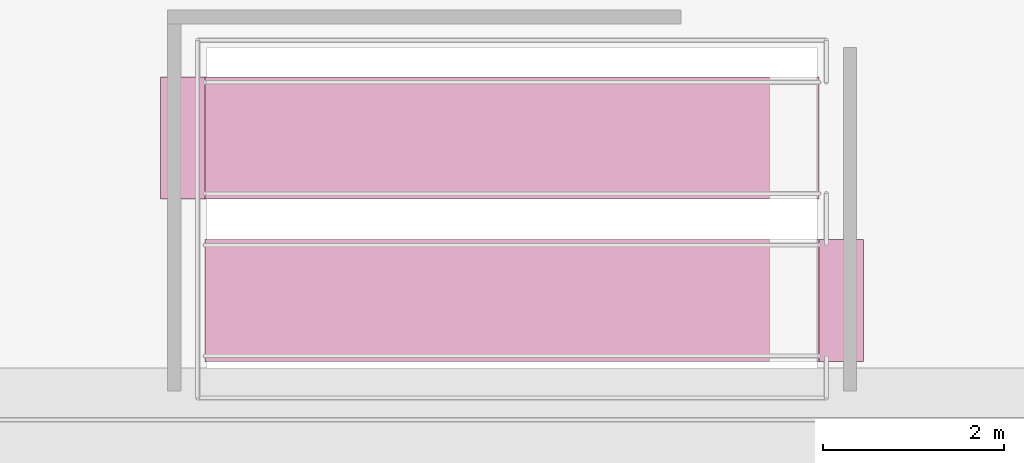
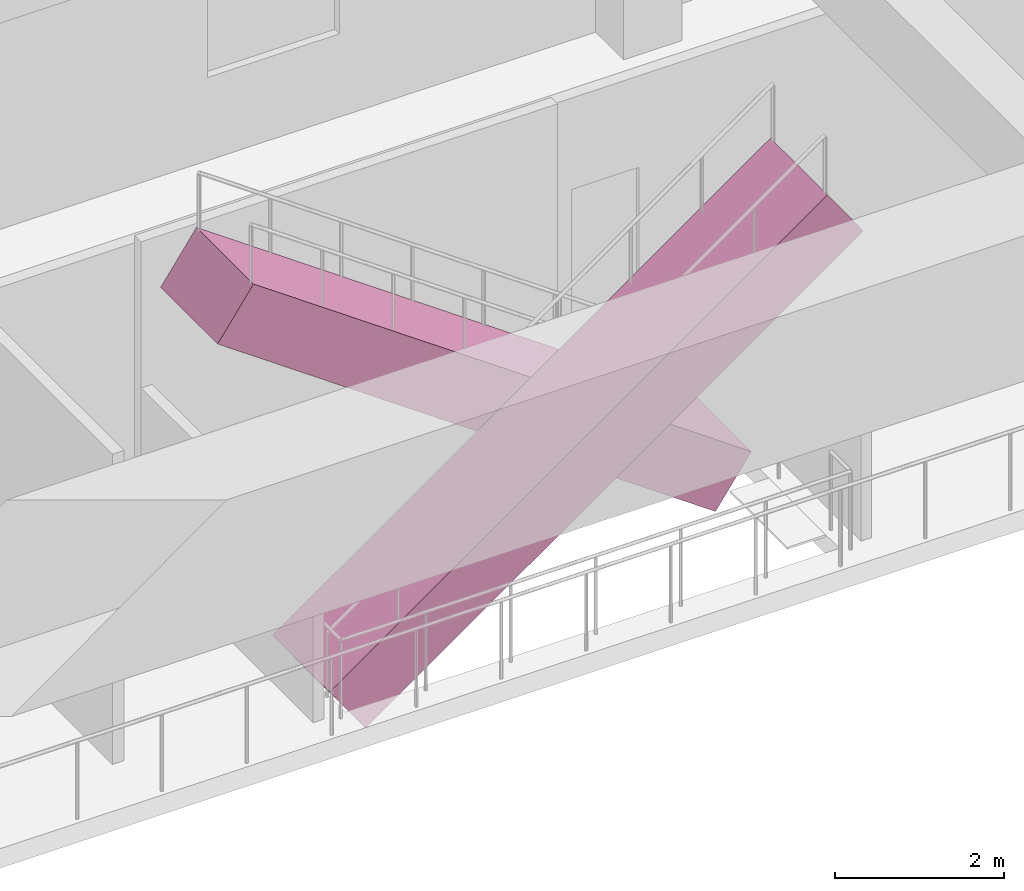
# One storey, part 33 of 33: 2 transport elements.
"""IFC4 building model written with IfcOpenShell, lengths in metres."""

from ifc_helpers import new_model, si_unit, direction, frame, origin, place, context, subcontext, project, spatial, polyline, outline, extrude, material, layer, layer_set, type_object, element, save


model = new_model("IFC4")

# Units and contexts
model_context = context("Model", 3, precision=1e-05, world=origin(), true_north=direction((0.0, 1.0)))
body_context = subcontext(model_context, "Body", "Model", "MODEL_VIEW")
ifc_project = project(units=[si_unit("LENGTHUNIT", "METRE"), si_unit("AREAUNIT", "SQUARE_METRE"), si_unit("VOLUMEUNIT", "CUBIC_METRE"), si_unit("PLANEANGLEUNIT", "RADIAN"), si_unit("MASSUNIT", "GRAM", prefix="KILO")], contexts=[model_context])

# Site, building, storey
site_placement = place(None, origin())
site = spatial("IfcSite", under=ifc_project, at=site_placement, CompositionType="ELEMENT")
building_placement = place(site_placement, origin())
building = spatial("IfcBuilding", under=site, at=building_placement, Name="Cendralis Terraced Arcade", CompositionType="ELEMENT")
storey_placement = place(building_placement, frame((0.0, 0.0, 19.800048828125)))
storey = spatial("IfcBuildingStorey", under=building, at=storey_placement, Name="L04", CompositionType="ELEMENT", Elevation=19.800048828125)

# Transport elements
ifc_material = material(Name="Brushed stainless steel and laminated glass escalator", Category="steel")
ifc_layer = layer(ifc_material, 0.949951171875, Name="ESC-ATR-1000")
ifc_layer_set = layer_set([ifc_layer], Name="Brushed stainless steel and laminated glass escalator")
transport_element_type = type_object("IfcTransportElementType", Name="ESC-ATR-1000", PredefinedType="ESCALATOR", material=ifc_layer_set)
transport_element_1_placement = place(storey_placement, frame((38.0, 39.125, 0.099853515625), z_axis=(-0.576684349177, 0.0, 0.816967050385), x_axis=(0.816967050385, 0.0, 0.576684349177)))
element("IfcTransportElement", 1, at=transport_element_1_placement, inside=storey, type_object=transport_element_type, Name="Atrium Retail Escalator ESC-09 (L04 to L05)", PredefinedType="ESCALATOR", context=body_context, shape_type="SweptSolid", body=[
    extrude(outline(polyline([(0.0, 0.0), (8.323528868050401, 0.0), (8.323528868050401, 1.35009765625), (0.0, 1.35009765625), (0.0, 0.0)])), origin(), (0.0, 0.0, -1.0), 0.85009765625),
])
transport_element_2_placement = place(storey_placement, frame((44.800048828125, 40.925048828125, 0.099853515625), z_axis=(0.576684349177, 0.0, 0.816967050385), x_axis=(-0.816967050385, 0.0, 0.576684349177)))
element("IfcTransportElement", 2, at=transport_element_2_placement, inside=storey, type_object=transport_element_type, Name="Atrium Retail Escalator ESC-10 (L04 to L05)", PredefinedType="ESCALATOR", context=body_context, shape_type="SweptSolid", body=[
    extrude(outline(polyline([(0.0, 0.0), (8.323528868050401, 0.0), (8.323528868050401, -1.3498535156250002), (0.0, -1.3498535156250002), (0.0, 0.0)])), origin(), (0.0, 0.0, -1.0), 0.85009765625),
])

save(model, "model.ifc")
